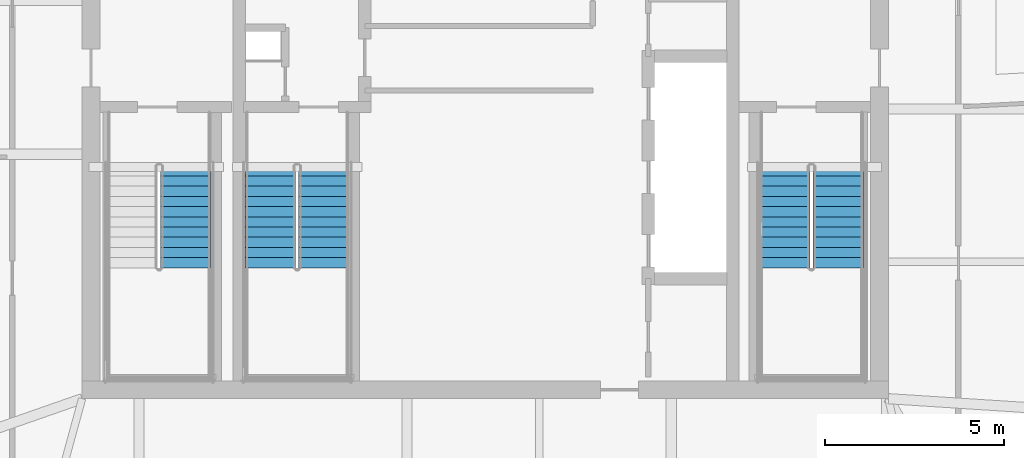
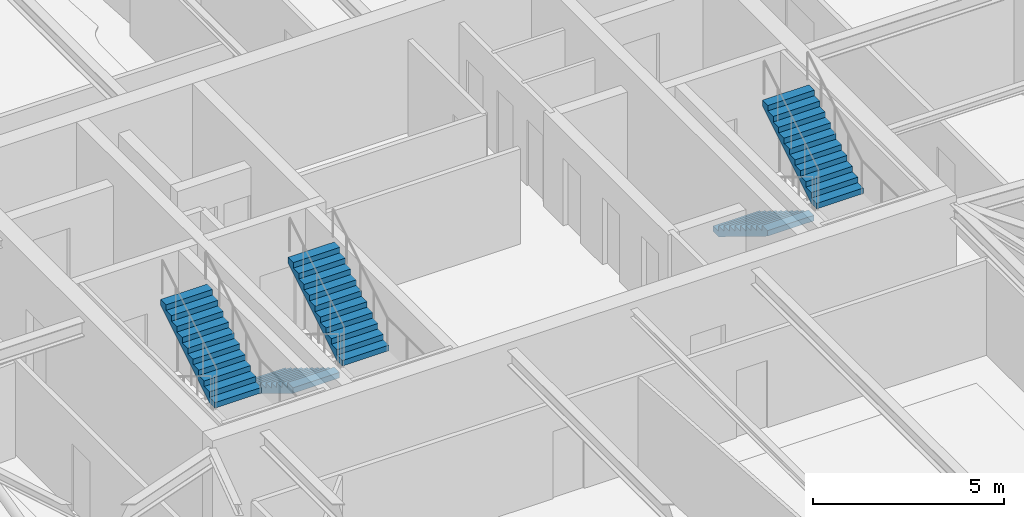
# One storey, part 14 of 17: 5 stair flights, 3 elements without a shape of their own.
"""IFC4 building model written with IfcOpenShell, lengths in metres."""

from ifc_helpers import new_model, si_unit, direction, frame, origin, place, context, subcontext, project, spatial, polyline, outline, extrude, material, type_object, element, aggregate, save


model = new_model("IFC4")

# Units and contexts
model_context = context("Model", 3, precision=1e-05, world=origin(), true_north=direction((0.0, 1.0)))
body_context = subcontext(model_context, "Body", "Model", "MODEL_VIEW")
ifc_project = project(units=[si_unit("LENGTHUNIT", "METRE"), si_unit("AREAUNIT", "SQUARE_METRE"), si_unit("VOLUMEUNIT", "CUBIC_METRE"), si_unit("PLANEANGLEUNIT", "RADIAN"), si_unit("MASSUNIT", "GRAM", prefix="KILO")], contexts=[model_context])

# Site, building, storey
site_placement = place(None, origin())
site = spatial("IfcSite", under=ifc_project, at=site_placement, CompositionType="ELEMENT")
building_placement = place(site_placement, origin())
building = spatial("IfcBuilding", under=site, at=building_placement, Name="Bramvorn Convention Spire", CompositionType="ELEMENT")
storey_placement = place(building_placement, frame((0.0, 0.0, 280.550048828125)))
storey = spatial("IfcBuildingStorey", under=building, at=storey_placement, Name="L71", CompositionType="ELEMENT", Elevation=280.550048828125)

# Stair, stair flight
ifc_material_1 = material(Name="Concrete C40/50 Precast Stair", Category="concrete")
stair_type = type_object("IfcStairType", Name="ST-TOWER-1550", PredefinedType="HALF_TURN_STAIR", material=ifc_material_1)
stair_1_placement = place(storey_placement, origin())
stair_1 = element("IfcStair", 1, at=stair_1_placement, inside=storey, type_object=stair_type, Name="L71 Protected Exit Stair ST1", PredefinedType="HALF_TURN_STAIR")
ifc_material_2 = material(Name="Concrete C40/50 Precast Stair Flight", Category="concrete")
stair_flight_type = type_object("IfcStairFlightType", Name="STF-TOWER-1550", PredefinedType="STRAIGHT", material=ifc_material_2)
stair_flight_1_placement = place(storey_placement, frame((29.64501953125, 22.199951171875, 1.925048828125), z_axis=(0.0, 0.0, 1.0), x_axis=(0.0, 1.0, 0.0)))
stair_flight_1 = element("IfcStairFlight", 2, at=stair_flight_1_placement, type_object=stair_flight_type, Name="ST1 flight 2", NumberOfRisers=11, NumberOfTreads=10, PredefinedType="STRAIGHT", RiserHeight=0.175, TreadLength=0.285, context=body_context, shape_type="SweptSolid", body=[
    extrude(outline(polyline([(0.0, 0.0), (0.0, 0.175048828125), (0.284912109375, 0.175048828125), (0.284912109375, 0.35009765625), (0.570068359375, 0.35009765625), (0.570068359375, 0.52490234375), (0.85498046875, 0.52490234375), (0.85498046875, 0.699951171875), (1.139892578125, 0.699951171875), (1.139892578125, 0.875), (1.425048828125, 0.875), (1.425048828125, 1.050048828125), (1.7099609375, 1.050048828125), (1.7099609375, 1.22509765625), (1.9951171875, 1.22509765625), (1.9951171875, 1.39990234375), (2.280029296875, 1.39990234375), (2.280029296875, 1.574951171875), (2.56494140625, 1.574951171875), (2.56494140625, 1.75), (2.85009765625, 1.75), (2.85009765625, 1.925048828125), (2.85009765625, 1.573974609375), (0.286376953125, 0.0), (0.0, 0.0)])), frame((0.0, 0.705078125, 0.0), z_axis=(0.0, -1.0, 0.0), x_axis=(1.0, 0.0, 0.0)), (0.0, 0.0, 1.0), 1.409912109375),
])
aggregate(stair_1, [stair_flight_1])

# Stair, stair flights
stair_2_placement = place(storey_placement, origin())
stair_2 = element("IfcStair", 3, at=stair_2_placement, inside=storey, type_object=stair_type, Name="L71 Protected Exit Stair ST2", PredefinedType="HALF_TURN_STAIR")
stair_flight_2_placement = place(storey_placement, frame((46.35498046875, 25.050048828125, 0.0), z_axis=(0.0, 0.0, 1.0), x_axis=(0.0, -1.0, 0.0)))
stair_flight_2 = element("IfcStairFlight", 4, at=stair_flight_2_placement, type_object=stair_flight_type, Name="ST2 flight 1", NumberOfRisers=11, NumberOfTreads=10, PredefinedType="STRAIGHT", RiserHeight=0.175, TreadLength=0.285, context=body_context, shape_type="SweptSolid", body=[
    extrude(outline(polyline([(0.0, 0.0), (0.0, 0.175048828125), (0.284912109375, 0.175048828125), (0.284912109375, 0.35009765625), (0.570068359375, 0.35009765625), (0.570068359375, 0.52490234375), (0.85498046875, 0.52490234375), (0.85498046875, 0.699951171875), (1.139892578125, 0.699951171875), (1.139892578125, 0.875), (1.425048828125, 0.875), (1.425048828125, 1.050048828125), (1.7099609375, 1.050048828125), (1.7099609375, 1.22509765625), (1.9951171875, 1.22509765625), (1.9951171875, 1.39990234375), (2.280029296875, 1.39990234375), (2.280029296875, 1.574951171875), (2.56494140625, 1.574951171875), (2.56494140625, 1.75), (2.85009765625, 1.75), (2.85009765625, 1.925048828125), (2.85009765625, 1.573974609375), (0.286376953125, 0.0), (0.0, 0.0)])), frame((0.0, 0.705078125, 0.0), z_axis=(0.0, -1.0, 0.0), x_axis=(1.0, 0.0, 0.0)), (0.0, 0.0, 1.0), 1.409912109375),
])
stair_flight_3_placement = place(storey_placement, frame((47.844970703125, 22.199951171875, 1.925048828125), z_axis=(0.0, 0.0, 1.0), x_axis=(0.0, 1.0, 0.0)))
stair_flight_3 = element("IfcStairFlight", 5, at=stair_flight_3_placement, type_object=stair_flight_type, Name="ST2 flight 2", NumberOfRisers=11, NumberOfTreads=10, PredefinedType="STRAIGHT", RiserHeight=0.175, TreadLength=0.285, context=body_context, shape_type="SweptSolid", body=[
    extrude(outline(polyline([(0.0, 0.0), (0.0, 0.175048828125), (0.284912109375, 0.175048828125), (0.284912109375, 0.35009765625), (0.570068359375, 0.35009765625), (0.570068359375, 0.52490234375), (0.85498046875, 0.52490234375), (0.85498046875, 0.699951171875), (1.139892578125, 0.699951171875), (1.139892578125, 0.875), (1.425048828125, 0.875), (1.425048828125, 1.050048828125), (1.7099609375, 1.050048828125), (1.7099609375, 1.22509765625), (1.9951171875, 1.22509765625), (1.9951171875, 1.39990234375), (2.280029296875, 1.39990234375), (2.280029296875, 1.574951171875), (2.56494140625, 1.574951171875), (2.56494140625, 1.75), (2.85009765625, 1.75), (2.85009765625, 1.925048828125), (2.85009765625, 1.573974609375), (0.286376953125, 0.0), (0.0, 0.0)])), frame((0.0, 0.705078125, 0.0), z_axis=(0.0, -1.0, 0.0), x_axis=(1.0, 0.0, 0.0)), (0.0, 0.0, 1.0), 1.409912109375),
])
aggregate(stair_2, [stair_flight_2, stair_flight_3])

stair_3_placement = place(storey_placement, origin())
stair_3 = element("IfcStair", 6, at=stair_3_placement, inside=storey, type_object=stair_type, Name="L71 Protected Exit Stair ST3", PredefinedType="HALF_TURN_STAIR")
stair_flight_4_placement = place(storey_placement, frame((32.0048828125, 25.050048828125, 0.0), z_axis=(0.0, 0.0, 1.0), x_axis=(0.0, -1.0, 0.0)))
stair_flight_4 = element("IfcStairFlight", 7, at=stair_flight_4_placement, type_object=stair_flight_type, Name="ST3 flight 1", NumberOfRisers=11, NumberOfTreads=10, PredefinedType="STRAIGHT", RiserHeight=0.175, TreadLength=0.285, context=body_context, shape_type="SweptSolid", body=[
    extrude(outline(polyline([(0.0, 0.0), (0.0, 0.175048828125), (0.284912109375, 0.175048828125), (0.284912109375, 0.35009765625), (0.570068359375, 0.35009765625), (0.570068359375, 0.52490234375), (0.85498046875, 0.52490234375), (0.85498046875, 0.699951171875), (1.139892578125, 0.699951171875), (1.139892578125, 0.875), (1.425048828125, 0.875), (1.425048828125, 1.050048828125), (1.7099609375, 1.050048828125), (1.7099609375, 1.22509765625), (1.9951171875, 1.22509765625), (1.9951171875, 1.39990234375), (2.280029296875, 1.39990234375), (2.280029296875, 1.574951171875), (2.56494140625, 1.574951171875), (2.56494140625, 1.75), (2.85009765625, 1.75), (2.85009765625, 1.925048828125), (2.85009765625, 1.573974609375), (0.286376953125, 0.0), (0.0, 0.0)])), frame((0.0, 0.705078125, 0.0), z_axis=(0.0, -1.0, 0.0), x_axis=(1.0, 0.0, 0.0)), (0.0, 0.0, 1.0), 1.409912109375),
])
stair_flight_5_placement = place(storey_placement, frame((33.4951171875, 22.199951171875, 1.925048828125), z_axis=(0.0, 0.0, 1.0), x_axis=(0.0, 1.0, 0.0)))
stair_flight_5 = element("IfcStairFlight", 8, at=stair_flight_5_placement, type_object=stair_flight_type, Name="ST3 flight 2", NumberOfRisers=11, NumberOfTreads=10, PredefinedType="STRAIGHT", RiserHeight=0.175, TreadLength=0.285, context=body_context, shape_type="SweptSolid", body=[
    extrude(outline(polyline([(0.0, 0.0), (0.0, 0.175048828125), (0.284912109375, 0.175048828125), (0.284912109375, 0.35009765625), (0.570068359375, 0.35009765625), (0.570068359375, 0.52490234375), (0.85498046875, 0.52490234375), (0.85498046875, 0.699951171875), (1.139892578125, 0.699951171875), (1.139892578125, 0.875), (1.425048828125, 0.875), (1.425048828125, 1.050048828125), (1.7099609375, 1.050048828125), (1.7099609375, 1.22509765625), (1.9951171875, 1.22509765625), (1.9951171875, 1.39990234375), (2.280029296875, 1.39990234375), (2.280029296875, 1.574951171875), (2.56494140625, 1.574951171875), (2.56494140625, 1.75), (2.85009765625, 1.75), (2.85009765625, 1.925048828125), (2.85009765625, 1.573974609375), (0.286376953125, 0.0), (0.0, 0.0)])), frame((0.0, 0.705078125, 0.0), z_axis=(0.0, -1.0, 0.0), x_axis=(1.0, 0.0, 0.0)), (0.0, 0.0, 1.0), 1.409912109375),
])
aggregate(stair_3, [stair_flight_4, stair_flight_5])

save(model, "model.ifc")
